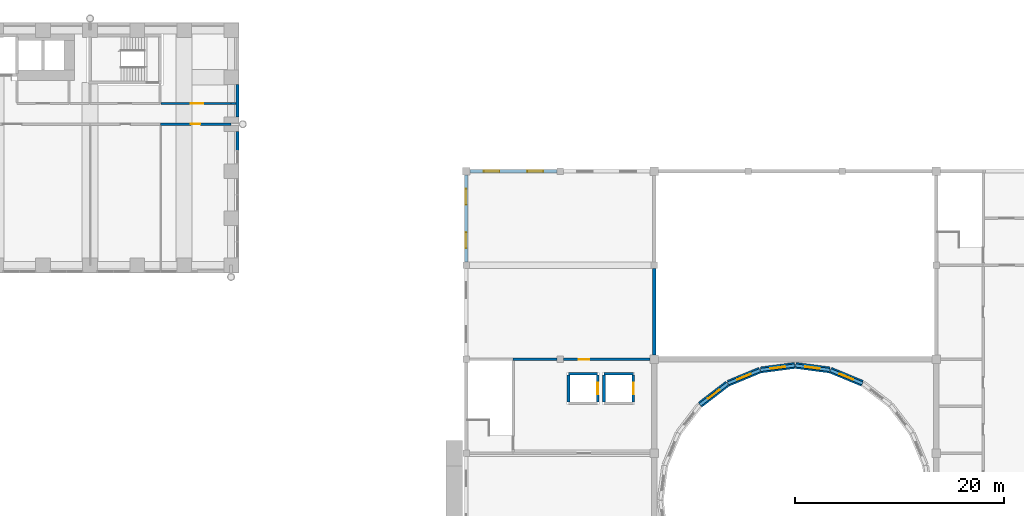
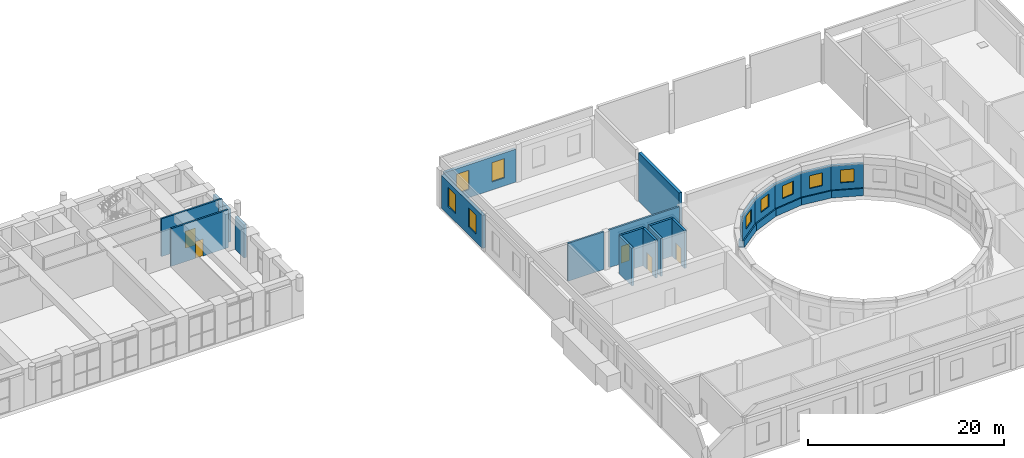
# One storey, part 23 of 35: 26 walls, 9 windows, 5 doors, 14 openings.
"""IFC4 building model written with IfcOpenShell, lengths in metres."""

from ifc_helpers import new_model, si_unit, direction, frame, frame_2d, origin, place, context, subcontext, project, spatial, rectangle, extrude, material, layer, layer_set, type_object, element, fill, save


model = new_model("IFC4")

# Units and contexts
model_context = context("Model", 3, precision=1e-05, world=origin(), true_north=direction((0.0, 1.0)))
body_context = subcontext(model_context, "Body", "Model", "MODEL_VIEW")
ifc_project = project(units=[si_unit("LENGTHUNIT", "METRE"), si_unit("AREAUNIT", "SQUARE_METRE"), si_unit("VOLUMEUNIT", "CUBIC_METRE"), si_unit("PLANEANGLEUNIT", "RADIAN"), si_unit("MASSUNIT", "GRAM", prefix="KILO")], contexts=[model_context])

# Site, building, storey
site_placement = place(None, origin())
site = spatial("IfcSite", under=ifc_project, at=site_placement, CompositionType="ELEMENT")
building_placement = place(site_placement, origin())
building = spatial("IfcBuilding", under=site, at=building_placement, Name="Firuza Court", CompositionType="ELEMENT")
storey_placement = place(building_placement, frame((0.0, 0.0, 24.0)))
storey = spatial("IfcBuildingStorey", under=building, at=storey_placement, Name="L04", CompositionType="ELEMENT", Elevation=24.0)

# Wall, opening, door
ifc_material_1 = material(Name="Blockwork, plastered both sides", Category="masonry")
ifc_layer_1 = layer(ifc_material_1, 0.199951171875)
ifc_layer_set_1 = layer_set([ifc_layer_1], Name="Blockwork, plastered both sides")
wall_type_1 = type_object("IfcWallType", Name="Corridor wall 200", PredefinedType="PARTITIONING", material=ifc_layer_set_1)
wall_1_placement = place(storey_placement, frame((60.75, 49.5, 0.0), z_axis=(0.0, 0.0, 1.0), x_axis=(1.0, 0.0, 0.0)))
wall_1 = element("IfcWall", 1, at=wall_1_placement, inside=storey, type_object=wall_type_1, Name="Corridor wall 200 L04", PredefinedType="PARTITIONING", context=body_context, shape_type="SweptSolid", body=[
    extrude(rectangle(XDim=6.75, YDim=0.199951171875, at=frame_2d((3.375, 0.0))), origin(), (0.0, 0.0, 1.0), 4.699951171875),
])
opening_1_placement = place(wall_1_placement, frame((2.89990234375, 0.0, 0.0)))
opening_1 = element("IfcOpeningElement", 2, at=opening_1_placement, cuts=wall_1, Name="Opening D04032", PredefinedType="OPENING", context=body_context, shape_type="SweptSolid", body=[
    extrude(rectangle(XDim=0.89990234375, YDim=2.10009765625, at=frame_2d((0.449951171875, 1.050048828125))), frame((0.0, 0.11181640625, 0.0), z_axis=(0.0, -1.0, 0.0), x_axis=(1.0, 0.0, 0.0)), (0.0, 0.0, 1.0), 0.223876953125),
])
ifc_material_2 = material(Name="Timber door leaf in hardwood frame", Category="wood")
door_type_1 = type_object("IfcDoorType", Name="Room door 900 EI 30", OperationType="SINGLE_SWING_LEFT", PredefinedType="DOOR", material=ifc_material_2)
door_1_placement = place(opening_1_placement, origin())
door_1 = element("IfcDoor", 3, at=door_1_placement, inside=storey, type_object=door_type_1, Name="Room door", OperationType="SINGLE_SWING_RIGHT", OverallHeight=2.10009765625, OverallWidth=0.89990234375, PredefinedType="DOOR", context=body_context, shape_type="SweptSolid", body=[
    extrude(rectangle(XDim=0.89990234375, YDim=2.10009765625, at=frame_2d((0.449951171875, 1.050048828125))), frame((0.0, 0.02490234375, 0.0), z_axis=(0.0, -1.0, 0.0), x_axis=(1.0, 0.0, 0.0)), (0.0, 0.0, 1.0), 0.050048828125),
])
fill(opening_1, door_1)

# Wall, opening, window
ifc_material_3 = material(Name="Concrete C40/50", Category="concrete")
ifc_layer_2 = layer(ifc_material_3, 0.300048828125)
ifc_layer_set_2 = layer_set([ifc_layer_2], Name="Concrete C40/50")
wall_type_2 = type_object("IfcWallType", Name="HALL DRUM WALL 300", PredefinedType="STANDARD", material=ifc_layer_set_2)
wall_2_placement = place(storey_placement, frame((127.93701171875, 24.688232421875, 1.39990234375), z_axis=(0.0, 0.0, 1.0), x_axis=(-0.923883729276, 0.382673300321, 0.0)))
wall_2 = element("IfcWall", 4, at=wall_2_placement, inside=storey, type_object=wall_type_2, Name="Drum wall 5", PredefinedType="STANDARD", context=body_context, shape_type="SweptSolid", body=[
    extrude(rectangle(XDim=3.330810546875, YDim=0.300048828125, at=frame_2d((1.66552734375, 0.0))), origin(), (0.0, 0.0, 1.0), 3.0),
])
opening_2_placement = place(wall_2_placement, frame((0.96533203125, 0.0, 0.800048828125)))
opening_2 = element("IfcOpeningElement", 5, at=opening_2_placement, cuts=wall_2, Name="Opening HW-4", PredefinedType="OPENING", context=body_context, shape_type="SweptSolid", body=[
    extrude(rectangle(XDim=1.39990234375, YDim=1.60009765625, at=frame_2d((0.699951171875, 0.800048828125))), frame((0.0, 0.162109375, 0.0), z_axis=(0.0, -1.0, 0.0), x_axis=(1.0, 0.0, 0.0)), (0.0, 0.0, 1.0), 0.323974609375),
])
ifc_material_4 = material(Name="Aluminium", Category="aluminium")
window_type_1 = type_object("IfcWindowType", Name="HALL WINDOW 1400X1600", PartitioningType="SINGLE_PANEL", PredefinedType="WINDOW", material=ifc_material_4)
window_1_placement = place(opening_2_placement, origin())
window_1 = element("IfcWindow", 6, at=window_1_placement, inside=storey, type_object=window_type_1, Name="Drum clerestory window 5", OverallHeight=1.60009765625, OverallWidth=1.39990234375, PartitioningType="SINGLE_PANEL", PredefinedType="WINDOW", context=body_context, shape_type="SweptSolid", body=[
    extrude(rectangle(XDim=1.39990234375, YDim=1.60009765625, at=frame_2d((0.699951171875, 0.800048828125))), frame((0.0, 0.030029296875, 0.0), z_axis=(0.0, -1.0, 0.0), x_axis=(1.0, 0.0, 0.0)), (0.0, 0.0, 1.0), 0.06005859375),
])
fill(opening_2, window_1)

wall_3_placement = place(storey_placement, frame((124.82177734375, 25.97314453125, 1.39990234375), z_axis=(0.0, 0.0, 1.0), x_axis=(-0.991442316035, 0.130545524535, 0.0)))
wall_3 = element("IfcWall", 7, at=wall_3_placement, inside=storey, type_object=wall_type_2, Name="Drum wall 6", PredefinedType="STANDARD", context=body_context, shape_type="SweptSolid", body=[
    extrude(rectangle(XDim=3.330810546875, YDim=0.300048828125, at=frame_2d((1.66552734375, 0.0))), origin(), (0.0, 0.0, 1.0), 3.0),
])
opening_3_placement = place(wall_3_placement, frame((0.96533203125, 0.0, 0.800048828125)))
opening_3 = element("IfcOpeningElement", 8, at=opening_3_placement, cuts=wall_3, Name="Opening HW-4", PredefinedType="OPENING", context=body_context, shape_type="SweptSolid", body=[
    extrude(rectangle(XDim=1.39990234375, YDim=1.60009765625, at=frame_2d((0.699951171875, 0.800048828125))), frame((0.0, 0.162109375, 0.0), z_axis=(0.0, -1.0, 0.0), x_axis=(1.0, 0.0, 0.0)), (0.0, 0.0, 1.0), 0.323974609375),
])
window_2_placement = place(opening_3_placement, origin())
window_2 = element("IfcWindow", 9, at=window_2_placement, inside=storey, type_object=window_type_1, Name="Drum clerestory window 6", OverallHeight=1.60009765625, OverallWidth=1.39990234375, PartitioningType="SINGLE_PANEL", PredefinedType="WINDOW", context=body_context, shape_type="SweptSolid", body=[
    extrude(rectangle(XDim=1.39990234375, YDim=1.60009765625, at=frame_2d((0.699951171875, 0.800048828125))), frame((0.0, 0.030029296875, 0.0), z_axis=(0.0, -1.0, 0.0), x_axis=(1.0, 0.0, 0.0)), (0.0, 0.0, 1.0), 0.06005859375),
])
fill(opening_3, window_2)

wall_4_placement = place(storey_placement, frame((121.48046875, 26.407958984375, 1.39990234375), z_axis=(0.0, 0.0, 1.0), x_axis=(-0.991442316035, -0.130545524535, 0.0)))
wall_4 = element("IfcWall", 10, at=wall_4_placement, inside=storey, type_object=wall_type_2, Name="Drum wall 7", PredefinedType="STANDARD", context=body_context, shape_type="SweptSolid", body=[
    extrude(rectangle(XDim=3.330810546875, YDim=0.300048828125, at=frame_2d((1.66552734375, 0.0))), origin(), (0.0, 0.0, 1.0), 3.0),
])
opening_4_placement = place(wall_4_placement, frame((0.96533203125, 0.0, 0.800048828125)))
opening_4 = element("IfcOpeningElement", 11, at=opening_4_placement, cuts=wall_4, Name="Opening HW-4", PredefinedType="OPENING", context=body_context, shape_type="SweptSolid", body=[
    extrude(rectangle(XDim=1.39990234375, YDim=1.60009765625, at=frame_2d((0.699951171875, 0.800048828125))), frame((0.0, 0.162109375, 0.0), z_axis=(0.0, -1.0, 0.0), x_axis=(1.0, 0.0, 0.0)), (0.0, 0.0, 1.0), 0.323974609375),
])
window_3_placement = place(opening_4_placement, origin())
window_3 = element("IfcWindow", 12, at=window_3_placement, inside=storey, type_object=window_type_1, Name="Drum clerestory window 7", OverallHeight=1.60009765625, OverallWidth=1.39990234375, PartitioningType="SINGLE_PANEL", PredefinedType="WINDOW", context=body_context, shape_type="SweptSolid", body=[
    extrude(rectangle(XDim=1.39990234375, YDim=1.60009765625, at=frame_2d((0.699951171875, 0.800048828125))), frame((0.0, 0.030029296875, 0.0), z_axis=(0.0, -1.0, 0.0), x_axis=(1.0, 0.0, 0.0)), (0.0, 0.0, 1.0), 0.06005859375),
])
fill(opening_4, window_3)

wall_5_placement = place(storey_placement, frame((118.140380859375, 25.962890625, 1.39990234375), z_axis=(0.0, 0.0, 1.0), x_axis=(-0.923883729276, -0.382673300321, 0.0)))
wall_5 = element("IfcWall", 13, at=wall_5_placement, inside=storey, type_object=wall_type_2, Name="Drum wall 8", PredefinedType="STANDARD", context=body_context, shape_type="SweptSolid", body=[
    extrude(rectangle(XDim=3.330810546875, YDim=0.300048828125, at=frame_2d((1.66552734375, 0.0))), origin(), (0.0, 0.0, 1.0), 3.0),
])
opening_5_placement = place(wall_5_placement, frame((0.96533203125, 0.0, 0.800048828125)))
opening_5 = element("IfcOpeningElement", 14, at=opening_5_placement, cuts=wall_5, Name="Opening HW-4", PredefinedType="OPENING", context=body_context, shape_type="SweptSolid", body=[
    extrude(rectangle(XDim=1.39990234375, YDim=1.60009765625, at=frame_2d((0.699951171875, 0.800048828125))), frame((0.0, 0.162109375, 0.0), z_axis=(0.0, -1.0, 0.0), x_axis=(1.0, 0.0, 0.0)), (0.0, 0.0, 1.0), 0.323974609375),
])
window_4_placement = place(opening_5_placement, origin())
window_4 = element("IfcWindow", 15, at=window_4_placement, inside=storey, type_object=window_type_1, Name="Drum clerestory window 8", OverallHeight=1.60009765625, OverallWidth=1.39990234375, PartitioningType="SINGLE_PANEL", PredefinedType="WINDOW", context=body_context, shape_type="SweptSolid", body=[
    extrude(rectangle(XDim=1.39990234375, YDim=1.60009765625, at=frame_2d((0.699951171875, 0.800048828125))), frame((0.0, 0.030029296875, 0.0), z_axis=(0.0, -1.0, 0.0), x_axis=(1.0, 0.0, 0.0)), (0.0, 0.0, 1.0), 0.06005859375),
])
fill(opening_5, window_4)

wall_6_placement = place(storey_placement, frame((115.029052734375, 24.668701171875, 1.39990234375), z_axis=(0.0, 0.0, 1.0), x_axis=(-0.793345551451, -0.608771579488, 0.0)))
wall_6 = element("IfcWall", 16, at=wall_6_placement, inside=storey, type_object=wall_type_2, Name="Drum wall 9", PredefinedType="STANDARD", context=body_context, shape_type="SweptSolid", body=[
    extrude(rectangle(XDim=3.33056640625, YDim=0.300048828125, at=frame_2d((1.665283203125, 0.0))), origin(), (0.0, 0.0, 1.0), 3.0),
])
opening_6_placement = place(wall_6_placement, frame((0.96533203125, 0.0, 0.800048828125)))
opening_6 = element("IfcOpeningElement", 17, at=opening_6_placement, cuts=wall_6, Name="Opening HW-4", PredefinedType="OPENING", context=body_context, shape_type="SweptSolid", body=[
    extrude(rectangle(XDim=1.39990234375, YDim=1.60009765625, at=frame_2d((0.699951171875, 0.800048828125))), frame((0.0, 0.162109375, 0.0), z_axis=(0.0, -1.0, 0.0), x_axis=(1.0, 0.0, 0.0)), (0.0, 0.0, 1.0), 0.323974609375),
])
window_5_placement = place(opening_6_placement, origin())
window_5 = element("IfcWindow", 18, at=window_5_placement, inside=storey, type_object=window_type_1, Name="Drum clerestory window 9", OverallHeight=1.60009765625, OverallWidth=1.39990234375, PartitioningType="SINGLE_PANEL", PredefinedType="WINDOW", context=body_context, shape_type="SweptSolid", body=[
    extrude(rectangle(XDim=1.39990234375, YDim=1.60009765625, at=frame_2d((0.699951171875, 0.800048828125))), frame((0.0, 0.030029296875, 0.0), z_axis=(0.0, -1.0, 0.0), x_axis=(1.0, 0.0, 0.0)), (0.0, 0.0, 1.0), 0.06005859375),
])
fill(opening_6, window_5)

# Wall
ifc_material_5 = material(Name="Blockwork", Category="masonry")
ifc_layer_3 = layer(ifc_material_5, 0.199951171875)
ifc_layer_set_3 = layer_set([ifc_layer_3], Name="Blockwork")
wall_type_3 = type_object("IfcWallType", Name="HALL PARTITION 200", PredefinedType="STANDARD", material=ifc_layer_set_3)
wall_7_placement = place(storey_placement, frame((94.5, 27.0, 0.0), z_axis=(0.0, 0.0, 1.0), x_axis=(1.0, 0.0, 0.0)))
element("IfcWall", 19, at=wall_7_placement, inside=storey, type_object=wall_type_3, Name="Wall L04.36", PredefinedType="STANDARD", context=body_context, shape_type="SweptSolid", body=[
    extrude(rectangle(XDim=4.199951171875, YDim=0.199951171875, at=frame_2d((2.10009765625, 0.0))), origin(), (0.0, 0.0, 1.0), 4.699951171875),
])

# Wall, opening, door
wall_8_placement = place(storey_placement, frame((99.300048828125, 27.0, 0.0), z_axis=(0.0, 0.0, 1.0), x_axis=(1.0, 0.0, 0.0)))
wall_8 = element("IfcWall", 20, at=wall_8_placement, inside=storey, type_object=wall_type_3, Name="Wall L04.37", PredefinedType="STANDARD", context=body_context, shape_type="SweptSolid", body=[
    extrude(rectangle(XDim=8.300048828125, YDim=0.199951171875, at=frame_2d((4.14990234375, 0.0))), origin(), (0.0, 0.0, 1.0), 4.699951171875),
])
opening_7_placement = place(wall_8_placement, frame((1.469970703125, 0.0, 0.0)))
opening_7 = element("IfcOpeningElement", 21, at=opening_7_placement, cuts=wall_8, Name="Opening H162", PredefinedType="OPENING", context=body_context, shape_type="SweptSolid", body=[
    extrude(rectangle(XDim=1.0, YDim=2.10009765625, at=frame_2d((0.5, 1.050048828125))), frame((0.0, 0.11181640625, 0.0), z_axis=(0.0, -1.0, 0.0), x_axis=(1.0, 0.0, 0.0)), (0.0, 0.0, 1.0), 0.223876953125),
])
ifc_material_6 = material(Name="Timber", Category="wood")
door_type_2 = type_object("IfcDoorType", Name="HALL DOOR 1000X2100", OperationType="SINGLE_SWING_LEFT", PredefinedType="DOOR", material=ifc_material_6)
door_2_placement = place(opening_7_placement, origin())
door_2 = element("IfcDoor", 22, at=door_2_placement, inside=storey, type_object=door_type_2, Name="Door Boardroom", OperationType="SINGLE_SWING_LEFT", OverallHeight=2.10009765625, OverallWidth=1.0, PredefinedType="DOOR", context=body_context, shape_type="SweptSolid", body=[
    extrude(rectangle(XDim=1.0, YDim=2.10009765625, at=frame_2d((0.5, 1.050048828125))), frame((0.0, 0.02490234375, 0.0), z_axis=(0.0, -1.0, 0.0), x_axis=(1.0, 0.0, 0.0)), (0.0, 0.0, 1.0), 0.050048828125),
])
fill(opening_7, door_2)

# Walls
ifc_layer_4 = layer(ifc_material_3, 0.25)
ifc_layer_set_4 = layer_set([ifc_layer_4], Name="Concrete C40/50")
wall_type_4 = type_object("IfcWallType", Name="HALL RC WALL 250", PredefinedType="STANDARD", material=ifc_layer_set_4)
for number, where, z_axis, x_axis, name in (
    (23, (99.800048828125, 25.60009765625, 0.0), (0.0, 0.0, 1.0), (1.0, 0.0, 0.0), "Wall L04.33"),
    (24, (103.199951171875, 25.60009765625, 0.0), (0.0, 0.0, 1.0), (1.0, 0.0, 0.0), "Wall L04.34"),
):
    element("IfcWall", number, at=place(storey_placement, frame(where, z_axis=z_axis, x_axis=x_axis)), inside=storey, type_object=wall_type_4, Name=name, PredefinedType="STANDARD", context=body_context, shape_type="SweptSolid", body=[
        extrude(rectangle(XDim=2.800048828125, YDim=0.25, at=frame_2d((1.39990234375, 0.0))), origin(), (0.0, 0.0, 1.0), 4.699951171875),
    ])
wall_9_placement = place(storey_placement, frame((99.800048828125, 22.925048828125, 0.0), z_axis=(0.0, 0.0, 1.0), x_axis=(0.0, 1.0, 0.0)))
element("IfcWall", 25, at=wall_9_placement, inside=storey, type_object=wall_type_4, Name="Wall L04.60", PredefinedType="STANDARD", context=body_context, shape_type="SweptSolid", body=[
    extrude(rectangle(XDim=2.550048828125, YDim=0.25, at=frame_2d((1.27490234375, 0.0))), origin(), (0.0, 0.0, 1.0), 4.699951171875),
])

# Wall, opening, door
wall_10_placement = place(storey_placement, frame((102.60009765625, 22.925048828125, 0.0), z_axis=(0.0, 0.0, 1.0), x_axis=(0.0, 1.0, 0.0)))
wall_10 = element("IfcWall", 26, at=wall_10_placement, inside=storey, type_object=wall_type_4, Name="Wall L04.62", PredefinedType="STANDARD", context=body_context, shape_type="SweptSolid", body=[
    extrude(rectangle(XDim=2.550048828125, YDim=0.25, at=frame_2d((1.27490234375, 0.0))), origin(), (0.0, 0.0, 1.0), 4.699951171875),
])
opening_8_placement = place(wall_10_placement, frame((0.719970703125, 0.0, 0.0)))
opening_8 = element("IfcOpeningElement", 27, at=opening_8_placement, cuts=wall_10, Name="Opening LD", PredefinedType="OPENING", context=body_context, shape_type="SweptSolid", body=[
    extrude(rectangle(XDim=1.10009765625, YDim=2.10009765625, at=frame_2d((0.550048828125, 1.050048828125))), frame((0.0, 0.136962890625, 0.0), z_axis=(0.0, -1.0, 0.0), x_axis=(1.0, 0.0, 0.0)), (0.0, 0.0, 1.0), 0.27392578125),
])
ifc_material_7 = material(Name="Stainless steel", Category="steel")
door_type_3 = type_object("IfcDoorType", Name="HALL LANDING DOOR 1100X2100", OperationType="SLIDING_TO_LEFT", PredefinedType="DOOR", material=ifc_material_7)
door_3_placement = place(opening_8_placement, origin())
door_3 = element("IfcDoor", 28, at=door_3_placement, inside=storey, type_object=door_type_3, Name="Landing door PL1 L04", OperationType="SLIDING_TO_LEFT", OverallHeight=2.10009765625, OverallWidth=1.10009765625, PredefinedType="DOOR", context=body_context, shape_type="SweptSolid", body=[
    extrude(rectangle(XDim=1.10009765625, YDim=2.10009765625, at=frame_2d((0.550048828125, 1.050048828125))), frame((0.0, 0.02490234375, 0.0), z_axis=(0.0, -1.0, 0.0), x_axis=(1.0, 0.0, 0.0)), (0.0, 0.0, 1.0), 0.050048828125),
])
fill(opening_8, door_3)

# Wall
wall_11_placement = place(storey_placement, frame((103.199951171875, 22.925048828125, 0.0), z_axis=(0.0, 0.0, 1.0), x_axis=(0.0, 1.0, 0.0)))
element("IfcWall", 29, at=wall_11_placement, inside=storey, type_object=wall_type_4, Name="Wall L04.63", PredefinedType="STANDARD", context=body_context, shape_type="SweptSolid", body=[
    extrude(rectangle(XDim=2.550048828125, YDim=0.25, at=frame_2d((1.27490234375, 0.0))), origin(), (0.0, 0.0, 1.0), 4.699951171875),
])

# Wall, opening, door
wall_12_placement = place(storey_placement, frame((106.0, 22.925048828125, 0.0), z_axis=(0.0, 0.0, 1.0), x_axis=(0.0, 1.0, 0.0)))
wall_12 = element("IfcWall", 30, at=wall_12_placement, inside=storey, type_object=wall_type_4, Name="Wall L04.64", PredefinedType="STANDARD", context=body_context, shape_type="SweptSolid", body=[
    extrude(rectangle(XDim=2.550048828125, YDim=0.25, at=frame_2d((1.27490234375, 0.0))), origin(), (0.0, 0.0, 1.0), 4.699951171875),
])
opening_9_placement = place(wall_12_placement, frame((0.719970703125, 0.0, 0.0)))
opening_9 = element("IfcOpeningElement", 31, at=opening_9_placement, cuts=wall_12, Name="Opening LD", PredefinedType="OPENING", context=body_context, shape_type="SweptSolid", body=[
    extrude(rectangle(XDim=1.10009765625, YDim=2.10009765625, at=frame_2d((0.550048828125, 1.050048828125))), frame((0.0, 0.136962890625, 0.0), z_axis=(0.0, -1.0, 0.0), x_axis=(1.0, 0.0, 0.0)), (0.0, 0.0, 1.0), 0.27392578125),
])
door_4_placement = place(opening_9_placement, origin())
door_4 = element("IfcDoor", 32, at=door_4_placement, inside=storey, type_object=door_type_3, Name="Landing door PL2 L04", OperationType="SLIDING_TO_LEFT", OverallHeight=2.10009765625, OverallWidth=1.10009765625, PredefinedType="DOOR", context=body_context, shape_type="SweptSolid", body=[
    extrude(rectangle(XDim=1.10009765625, YDim=2.10009765625, at=frame_2d((0.550048828125, 1.050048828125))), frame((0.0, 0.02490234375, 0.0), z_axis=(0.0, -1.0, 0.0), x_axis=(1.0, 0.0, 0.0)), (0.0, 0.0, 1.0), 0.050048828125),
])
fill(opening_9, door_4)

# Walls
ifc_layer_5 = layer(ifc_material_3, 0.60009765625)
ifc_layer_set_5 = layer_set([ifc_layer_5], Name="Concrete C40/50")
wall_type_5 = type_object("IfcWallType", Name="HALL RING WALL 600", PredefinedType="STANDARD", material=ifc_layer_set_5)
for number, where, z_axis, x_axis, name in (
    (33, (127.918701171875, 24.69580078125, 0.5), (0.0, 0.0, 1.0), (-0.923880317165, 0.382681538037, 0.0), "Drum base ring wall 5"),
    (34, (124.80224609375, 25.9755859375, 0.5), (0.0, 0.0, 1.0), (-0.99144166728, 0.130550451475, 0.0), "Drum base ring wall 6"),
    (35, (121.4609375, 26.4052734375, 0.5), (0.0, 0.0, 1.0), (-0.99144166728, -0.130550451475, 0.0), "Drum base ring wall 7"),
    (36, (118.1220703125, 25.955322265625, 0.5), (0.0, 0.0, 1.0), (-0.923880317165, -0.382681538037, 0.0), "Drum base ring wall 8"),
    (37, (115.013427734375, 24.65673828125, 0.5), (0.0, 0.0, 1.0), (-0.79333765339, -0.608781872031, 0.0), "Drum base ring wall 9"),
):
    element("IfcWall", number, at=place(storey_placement, frame(where, z_axis=z_axis, x_axis=x_axis)), inside=storey, type_object=wall_type_5, Name=name, PredefinedType="STANDARD", context=body_context, shape_type="SweptSolid", body=[
        extrude(rectangle(XDim=3.291259765625, YDim=0.60009765625, at=frame_2d((1.6455078125, 0.0))), origin(), (0.0, 0.0, 1.0), 0.89990234375),
    ])
ifc_layer_6 = layer(ifc_material_3, 0.35009765625)
ifc_layer_set_6 = layer_set([ifc_layer_6], Name="Concrete C40/50")
wall_type_6 = type_object("IfcWallType", Name="HALL STAGE HOUSE WALL 350", PredefinedType="STANDARD", material=ifc_layer_set_6)
wall_13_placement = place(storey_placement, frame((108.0, 27.39990234375, 0.0), z_axis=(0.0, 0.0, 1.0), x_axis=(0.0, 1.0, 0.0)))
element("IfcWall", 38, at=wall_13_placement, inside=storey, type_object=wall_type_6, Name="Wall L04.69", PredefinedType="STANDARD", context=body_context, shape_type="SweptSolid", body=[
    extrude(rectangle(XDim=8.300048828125, YDim=0.35009765625, at=frame_2d((4.14990234375, 0.0))), origin(), (0.0, 0.0, 1.0), 6.0),
])

# Wall, openings, windows
ifc_material_8 = material(Name="Concrete C30/37", Category="concrete")
ifc_layer_7 = layer(ifc_material_8, 0.300048828125)
ifc_material_9 = material(Name="Ceramic tile", Category="ceramic")
ifc_layer_8 = layer(ifc_material_9, 0.050048828125)
ifc_layer_set_7 = layer_set([ifc_layer_7, ifc_layer_8], Name="Concrete C30/37")
wall_type_7 = type_object("IfcWallType", Name="HALL TILE CLAD WALL 350", PredefinedType="STANDARD", material=ifc_layer_set_7)
wall_14_placement = place(storey_placement, frame((90.35009765625, 45.0, 0.0), z_axis=(0.0, 0.0, 1.0), x_axis=(1.0, 0.0, 0.0)))
wall_14 = element("IfcWall", 39, at=wall_14_placement, inside=storey, type_object=wall_type_7, Name="Wall L04.44", PredefinedType="STANDARD", context=body_context, shape_type="SweptSolid", body=[
    extrude(rectangle(XDim=8.349853515625, YDim=0.35009765625, at=frame_2d((4.1748046875, 0.0))), origin(), (0.0, 0.0, 1.0), 4.10009765625),
])
opening_10_placement = place(wall_14_placement, frame((1.33740234375, 0.0, 1.0)))
opening_10 = element("IfcOpeningElement", 40, at=opening_10_placement, cuts=wall_14, Name="Opening HW-1", PredefinedType="OPENING", context=body_context, shape_type="SweptSolid", body=[
    extrude(rectangle(XDim=1.5, YDim=2.39990234375, at=frame_2d((0.75, 1.199951171875))), frame((0.0, 0.18701171875, 0.0), z_axis=(0.0, -1.0, 0.0), x_axis=(1.0, 0.0, 0.0)), (0.0, 0.0, 1.0), 0.3740234375),
])
opening_11_placement = place(wall_14_placement, frame((5.512451171875, 0.0, 1.0)))
opening_11 = element("IfcOpeningElement", 41, at=opening_11_placement, cuts=wall_14, Name="Opening HW-1", PredefinedType="OPENING", context=body_context, shape_type="SweptSolid", body=[
    extrude(rectangle(XDim=1.5, YDim=2.39990234375, at=frame_2d((0.75, 1.199951171875))), frame((0.0, 0.18701171875, 0.0), z_axis=(0.0, -1.0, 0.0), x_axis=(1.0, 0.0, 0.0)), (0.0, 0.0, 1.0), 0.3740234375),
])
ifc_material_10 = material(Name="Aluminium", Category="aluminium")
window_type_2 = type_object("IfcWindowType", Name="HALL WINDOW 1500X2400", PartitioningType="SINGLE_PANEL", PredefinedType="WINDOW", material=ifc_material_10)
window_6_placement = place(opening_10_placement, origin())
window_6 = element("IfcWindow", 42, at=window_6_placement, inside=storey, type_object=window_type_2, Name="Window L04.118", OverallHeight=2.39990234375, OverallWidth=1.5, PartitioningType="SINGLE_PANEL", PredefinedType="WINDOW", context=body_context, shape_type="SweptSolid", body=[
    extrude(rectangle(XDim=1.5, YDim=2.39990234375, at=frame_2d((0.75, 1.199951171875))), frame((0.0, 0.030029296875, 0.0), z_axis=(0.0, -1.0, 0.0), x_axis=(1.0, 0.0, 0.0)), (0.0, 0.0, 1.0), 0.06005859375),
])
fill(opening_10, window_6)
window_7_placement = place(opening_11_placement, origin())
window_7 = element("IfcWindow", 43, at=window_7_placement, inside=storey, type_object=window_type_2, Name="Window L04.119", OverallHeight=2.39990234375, OverallWidth=1.5, PartitioningType="SINGLE_PANEL", PredefinedType="WINDOW", context=body_context, shape_type="SweptSolid", body=[
    extrude(rectangle(XDim=1.5, YDim=2.39990234375, at=frame_2d((0.75, 1.199951171875))), frame((0.0, 0.030029296875, 0.0), z_axis=(0.0, -1.0, 0.0), x_axis=(1.0, 0.0, 0.0)), (0.0, 0.0, 1.0), 0.06005859375),
])
fill(opening_11, window_7)

wall_15_placement = place(storey_placement, frame((90.0, 36.300048828125, 0.0), z_axis=(0.0, 0.0, 1.0), x_axis=(0.0, 1.0, 0.0)))
wall_15 = element("IfcWall", 44, at=wall_15_placement, inside=storey, type_object=wall_type_7, Name="Wall L04.57", PredefinedType="STANDARD", context=body_context, shape_type="SweptSolid", body=[
    extrude(rectangle(XDim=8.349853515625, YDim=0.35009765625, at=frame_2d((4.1748046875, 0.0))), origin(), (0.0, 0.0, 1.0), 4.10009765625),
])
opening_12_placement = place(wall_15_placement, frame((1.33740234375, 0.0, 1.0)))
opening_12 = element("IfcOpeningElement", 45, at=opening_12_placement, cuts=wall_15, Name="Opening HW-1", PredefinedType="OPENING", context=body_context, shape_type="SweptSolid", body=[
    extrude(rectangle(XDim=1.5, YDim=2.39990234375, at=frame_2d((0.75, 1.199951171875))), frame((0.0, 0.18701171875, 0.0), z_axis=(0.0, -1.0, 0.0), x_axis=(1.0, 0.0, 0.0)), (0.0, 0.0, 1.0), 0.3740234375),
])
opening_13_placement = place(wall_15_placement, frame((5.512451171875, 0.0, 1.0)))
opening_13 = element("IfcOpeningElement", 46, at=opening_13_placement, cuts=wall_15, Name="Opening HW-1", PredefinedType="OPENING", context=body_context, shape_type="SweptSolid", body=[
    extrude(rectangle(XDim=1.5, YDim=2.39990234375, at=frame_2d((0.75, 1.199951171875))), frame((0.0, 0.18701171875, 0.0), z_axis=(0.0, -1.0, 0.0), x_axis=(1.0, 0.0, 0.0)), (0.0, 0.0, 1.0), 0.3740234375),
])
window_8_placement = place(opening_12_placement, origin())
window_8 = element("IfcWindow", 47, at=window_8_placement, inside=storey, type_object=window_type_2, Name="Window L04.128", OverallHeight=2.39990234375, OverallWidth=1.5, PartitioningType="SINGLE_PANEL", PredefinedType="WINDOW", context=body_context, shape_type="SweptSolid", body=[
    extrude(rectangle(XDim=1.5, YDim=2.39990234375, at=frame_2d((0.75, 1.199951171875))), frame((0.0, 0.030029296875, 0.0), z_axis=(0.0, -1.0, 0.0), x_axis=(1.0, 0.0, 0.0)), (0.0, 0.0, 1.0), 0.06005859375),
])
fill(opening_12, window_8)
window_9_placement = place(opening_13_placement, origin())
window_9 = element("IfcWindow", 48, at=window_9_placement, inside=storey, type_object=window_type_2, Name="Window L04.129", OverallHeight=2.39990234375, OverallWidth=1.5, PartitioningType="SINGLE_PANEL", PredefinedType="WINDOW", context=body_context, shape_type="SweptSolid", body=[
    extrude(rectangle(XDim=1.5, YDim=2.39990234375, at=frame_2d((0.75, 1.199951171875))), frame((0.0, 0.030029296875, 0.0), z_axis=(0.0, -1.0, 0.0), x_axis=(1.0, 0.0, 0.0)), (0.0, 0.0, 1.0), 0.06005859375),
])
fill(opening_13, window_9)

# Wall, opening, door
ifc_material_11 = material(Name="Blockwork, fire-rated", Category="masonry")
ifc_layer_9 = layer(ifc_material_11, 0.199951171875)
ifc_layer_set_8 = layer_set([ifc_layer_9], Name="Blockwork, fire-rated")
wall_type_8 = type_object("IfcWallType", Name="Plant room wall 200", PredefinedType="PARTITIONING", material=ifc_layer_set_8)
wall_16_placement = place(storey_placement, frame((67.5, 51.5, 0.0), z_axis=(0.0, 0.0, 1.0), x_axis=(-1.0, 0.0, 0.0)))
wall_16 = element("IfcWall", 49, at=wall_16_placement, inside=storey, type_object=wall_type_8, Name="Plant room wall 200 L04", PredefinedType="PARTITIONING", context=body_context, shape_type="SweptSolid", body=[
    extrude(rectangle(XDim=6.699951171875, YDim=0.199951171875, at=frame_2d((3.35009765625, 0.0))), origin(), (0.0, 0.0, 1.0), 4.699951171875),
])
opening_14_placement = place(wall_16_placement, frame((2.64990234375, 0.0, 0.0)))
opening_14 = element("IfcOpeningElement", 50, at=opening_14_placement, cuts=wall_16, Name="Opening D04034", PredefinedType="OPENING", context=body_context, shape_type="SweptSolid", body=[
    extrude(rectangle(XDim=1.199951171875, YDim=2.10009765625, at=frame_2d((0.60009765625, 1.050048828125))), frame((0.0, 0.11181640625, 0.0), z_axis=(0.0, -1.0, 0.0), x_axis=(1.0, 0.0, 0.0)), (0.0, 0.0, 1.0), 0.223876953125),
])
ifc_material_12 = material(Name="Timber door leaf in hardwood frame", Category="wood")
door_type_4 = type_object("IfcDoorType", Name="Plant room door 1200", OperationType="SINGLE_SWING_LEFT", PredefinedType="DOOR", material=ifc_material_12)
door_5_placement = place(opening_14_placement, frame((1.199951171875, 0.0, 0.0), z_axis=(0.0, 0.0, 1.0), x_axis=(-1.0, 0.0, 0.0)))
door_5 = element("IfcDoor", 51, at=door_5_placement, inside=storey, type_object=door_type_4, Name="Plant door", OperationType="SINGLE_SWING_LEFT", OverallHeight=2.10009765625, OverallWidth=1.199951171875, PredefinedType="DOOR", context=body_context, shape_type="SweptSolid", body=[
    extrude(rectangle(XDim=1.199951171875, YDim=2.10009765625, at=frame_2d((0.60009765625, 1.050048828125))), frame((0.0, 0.02490234375, 0.0), z_axis=(0.0, -1.0, 0.0), x_axis=(1.0, 0.0, 0.0)), (0.0, 0.0, 1.0), 0.050048828125),
])
fill(opening_14, door_5)

# Walls
wall_17_placement = place(storey_placement, frame((67.949951171875, 51.5, 0.0), z_axis=(0.0, 0.0, 1.0), x_axis=(-1.0, 0.0, 0.0)))
element("IfcWall", 52, at=wall_17_placement, inside=storey, type_object=wall_type_8, Name="Plant room wall 200 L04", PredefinedType="PARTITIONING", context=body_context, shape_type="SweptSolid", body=[
    extrude(rectangle(XDim=0.449951171875, YDim=0.199951171875, at=frame_2d((0.22509765625, 0.0))), origin(), (0.0, 0.0, 1.0), 4.699951171875),
])
ifc_layer_10 = layer(ifc_material_9, 0.02001953125)
ifc_material_13 = material(Name="Mineral wool insulation", Category="insulation")
ifc_layer_11 = layer(ifc_material_13, 0.1298828125)
ifc_material_14 = material(Name="Concrete C40/50 precast", Category="concrete")
ifc_layer_12 = layer(ifc_material_14, 0.14990234375)
ifc_layer_set_9 = layer_set([ifc_layer_10, ifc_layer_11, ifc_layer_12], Name="Concrete C40/50 precast")
wall_type_9 = type_object("IfcWallType", Name="Precast spandrel wall with turquoise TILE PANEL face 300", PredefinedType="STANDARD", material=ifc_layer_set_9)
wall_18_placement = place(storey_placement, frame((68.10009765625, 46.99072265625, 0.0), z_axis=(0.0, 0.0, 1.0), x_axis=(0.0, 1.0, 0.0)))
element("IfcWall", 53, at=wall_18_placement, inside=storey, type_object=wall_type_9, Name="Facade wall L04 E", PredefinedType="STANDARD", context=body_context, shape_type="SweptSolid", body=[
    extrude(rectangle(XDim=1.809326171875, YDim=0.300048828125, at=frame_2d((0.90478515625, 0.0))), origin(), (0.0, 0.0, 1.0), 4.10009765625),
])
wall_19_placement = place(storey_placement, frame((68.10009765625, 50.199951171875, 0.0), z_axis=(0.0, 0.0, 1.0), x_axis=(0.0, 1.0, 0.0)))
element("IfcWall", 54, at=wall_19_placement, inside=storey, type_object=wall_type_9, Name="Facade wall L04 E", PredefinedType="STANDARD", context=body_context, shape_type="SweptSolid", body=[
    extrude(rectangle(XDim=3.10009765625, YDim=0.300048828125, at=frame_2d((1.550048828125, 0.0))), origin(), (0.0, 0.0, 1.0), 4.10009765625),
])

save(model, "model.ifc")
